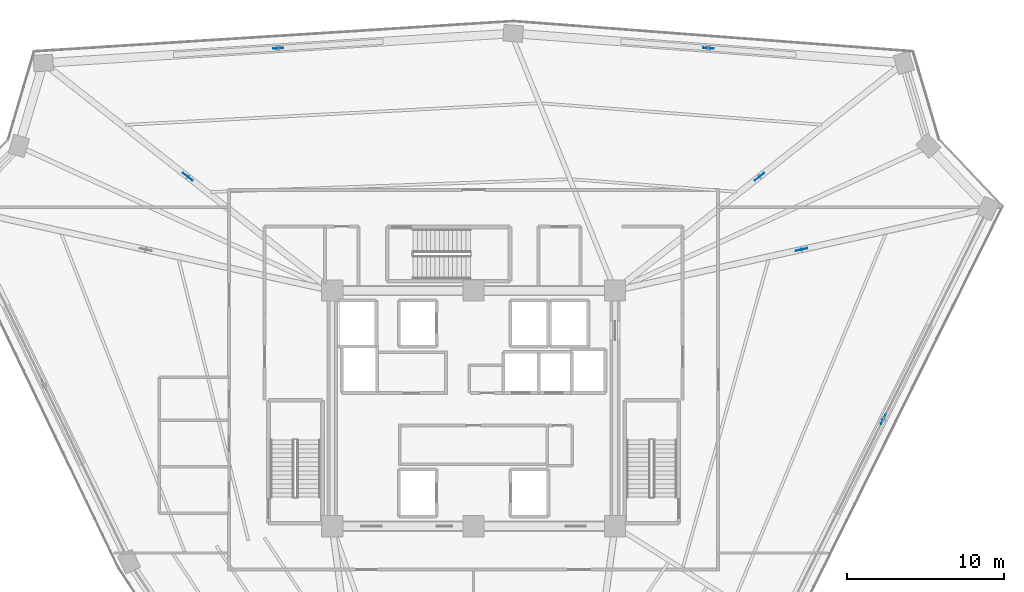
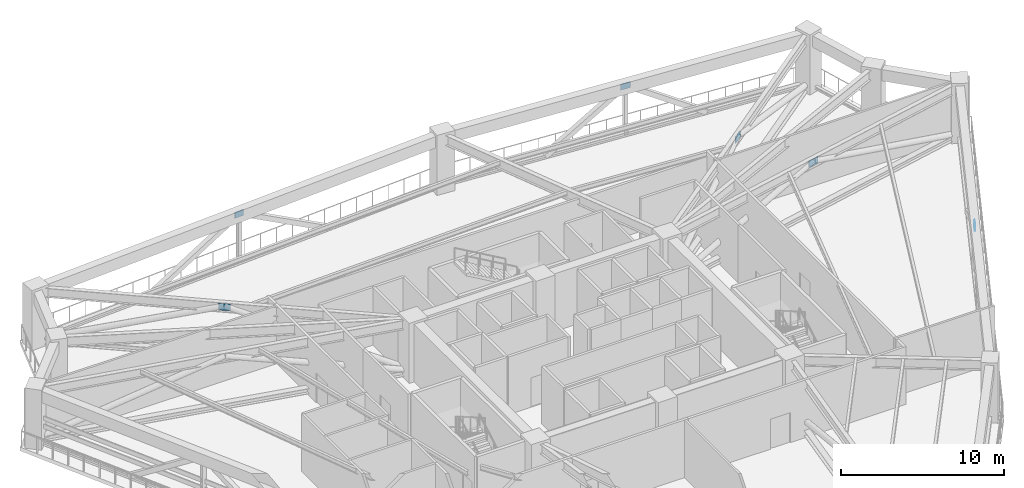
# One storey, part 13 of 25: 6 plates.
"""IFC4 building model written with IfcOpenShell, lengths in metres."""

from ifc_helpers import new_model, si_unit, direction, frame, origin, origin_2d, place, context, subcontext, project, spatial, rectangle, extrude, source, transform, mapped, material, layer, layer_set, type_object, element, save


model = new_model("IFC4")

# Units and contexts
model_context = context("Model", 3, precision=1e-05, world=origin(), true_north=direction((0.0, 1.0)))
body_context = subcontext(model_context, "Body", "Model", "MODEL_VIEW")
ifc_project = project(units=[si_unit("LENGTHUNIT", "METRE"), si_unit("AREAUNIT", "SQUARE_METRE"), si_unit("VOLUMEUNIT", "CUBIC_METRE"), si_unit("PLANEANGLEUNIT", "RADIAN"), si_unit("MASSUNIT", "GRAM", prefix="KILO")], contexts=[model_context])

# Site, building, storey
site_placement = place(None, origin())
site = spatial("IfcSite", under=ifc_project, at=site_placement, CompositionType="ELEMENT")
building_placement = place(site_placement, origin())
building = spatial("IfcBuilding", under=site, at=building_placement, Name="Liaohun Quay Tower", CompositionType="ELEMENT")
storey_placement = place(building_placement, frame((0.0, 0.0, 231.75)))
storey = spatial("IfcBuildingStorey", under=building, at=storey_placement, Name="L60", CompositionType="ELEMENT", Elevation=231.75)

# Plates
ifc_material = material(Name="Steel Q420D outrigger node gusset plate", Category="steel")
ifc_layer = layer(ifc_material, 0.0400390625, Name="Steel Q420D outrigger node gusset plate", Category="steel")
ifc_layer_set = layer_set([ifc_layer], Name="Steel Q420D outrigger node gusset plate")
plate_type = type_object("IfcPlateType", Name="PLT-GUS-OUT", PredefinedType="USERDEFINED", material=ifc_layer_set)
shared_shape_1 = source(origin(), body_context, "Body", "SweptSolid", [
    extrude(rectangle(XDim=0.75, YDim=0.0400390625, at=origin_2d()), origin(), (0.0, 0.0, 1.0), 0.5),
])
for number, where, z_axis, x_axis, name in (
    (1, (41.80810546875, 68.741943359375, 3.669921875), (0.0, 0.0, 1.0), (-0.785532987588, 0.618819784276, 0.0), "L60 Outrigger Node Gusset Plate GP1-03"),
    (2, (78.19091796875, 68.7451171875, 3.669921875), (0.0, 0.0, 1.0), (0.785316930881, 0.61909394931, 0.0), "L60 Outrigger Node Gusset Plate GP1-04"),
    (3, (80.864013671875, 64.112060546875, 3.669921875), (0.0, 0.0, 1.0), (0.976634785074, 0.214905785365, 0.0), "L60 Outrigger Node Gusset Plate GP1-05"),
):
    element("IfcPlate", number, at=place(storey_placement, frame(where, z_axis=z_axis, x_axis=x_axis)), inside=storey, type_object=plate_type, Name=name, ObjectType="GUSSET PLATE", PredefinedType="USERDEFINED", context=body_context, shape_type="MappedRepresentation", body=[
        mapped(shared_shape_1, transform((0.0, 0.0, 0.0), x_axis=(1.0, 0.0, 0.0), y_axis=(0.0, 1.0, 0.0), z_axis=(0.0, 0.0, 1.0), scale=1.0)),
    ])
shared_shape_2 = source(origin(), body_context, "Body", "SweptSolid", [
    extrude(rectangle(XDim=0.64990234375, YDim=0.035888671875, at=origin_2d()), origin(), (0.0, 0.0, 1.0), 0.449951171875),
])
for number, where, z_axis, x_axis, name in (
    (4, (47.56689453125, 76.926025390625, 3.69482421875), (0.0, 0.0, 1.0), (0.998015754214, 0.062964707096, 0.0), "L60 Belt Truss Node Gusset Plate GP1-B03"),
    (5, (74.949951171875, 76.929931640625, 3.69482421875), (0.0, 0.0, 1.0), (0.997158900261, -0.075326805528, 0.0), "L60 Belt Truss Node Gusset Plate GP1-B04"),
    (6, (86.071044921875, 53.304931640625, 3.69482421875), (0.0, 0.0, 1.0), (-0.44447884122, -0.895789350075, 0.0), "L60 Belt Truss Node Gusset Plate GP1-B05"),
):
    element("IfcPlate", number, at=place(storey_placement, frame(where, z_axis=z_axis, x_axis=x_axis)), inside=storey, type_object=plate_type, Name=name, ObjectType="GUSSET PLATE", PredefinedType="USERDEFINED", context=body_context, shape_type="MappedRepresentation", body=[
        mapped(shared_shape_2, transform((0.0, 0.0, 0.0), x_axis=(1.0, 0.0, 0.0), y_axis=(0.0, 1.0, 0.0), z_axis=(0.0, 0.0, 1.0), scale=1.0)),
    ])

save(model, "model.ifc")
